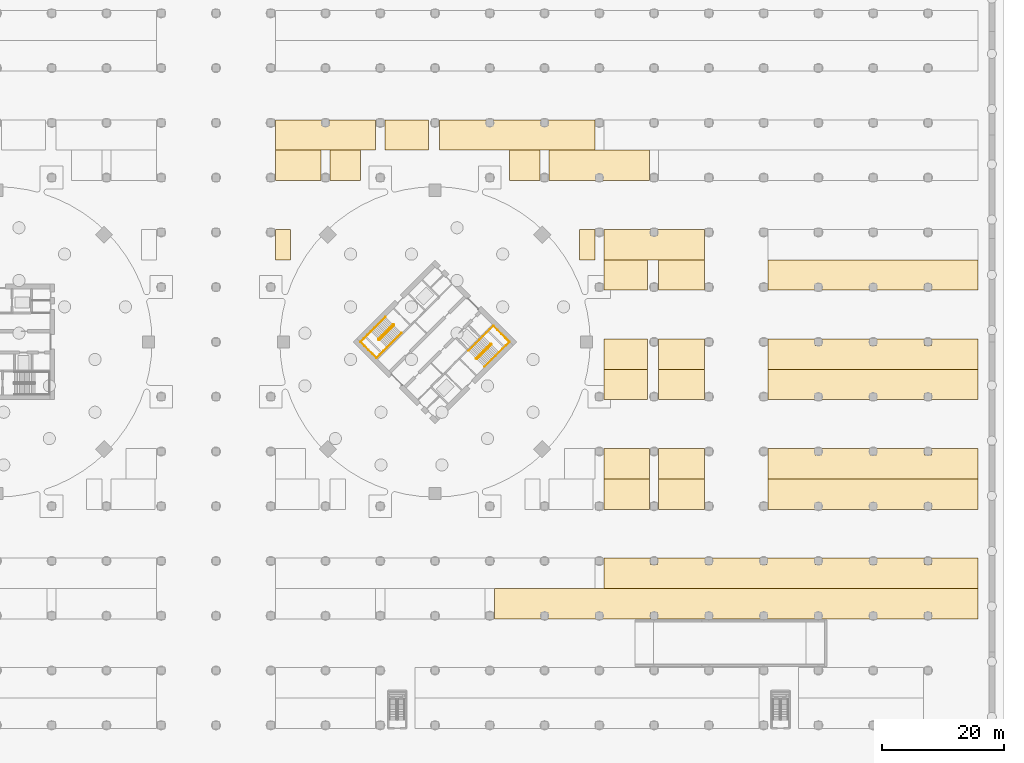
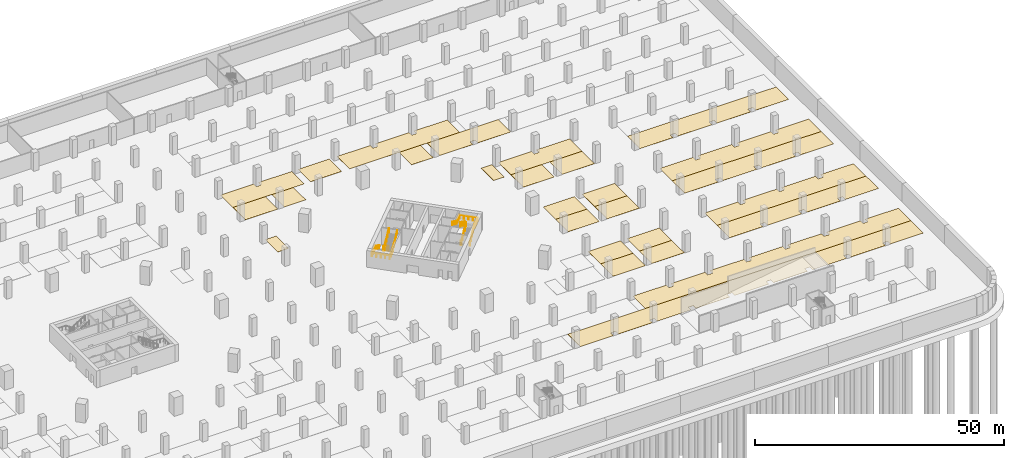
# One storey, part 33 of 39: 27 coverings, 4 railings.
"""IFC4 building model written with IfcOpenShell, lengths in metres."""

from ifc_helpers import new_model, si_unit, direction, frame, origin, origin_2d, place, context, subcontext, project, spatial, polyline, circle, outline, extrude, material, layer, layer_set, type_object, element, save


model = new_model("IFC4")

# Units and contexts
model_context = context("Model", 3, precision=1e-05, world=origin(), true_north=direction((0.0, 1.0)))
body_context = subcontext(model_context, "Body", "Model", "MODEL_VIEW")
ifc_project = project(units=[si_unit("LENGTHUNIT", "METRE"), si_unit("AREAUNIT", "SQUARE_METRE"), si_unit("VOLUMEUNIT", "CUBIC_METRE"), si_unit("PLANEANGLEUNIT", "RADIAN"), si_unit("MASSUNIT", "GRAM", prefix="KILO")], contexts=[model_context])

# Site, building, storey
site_placement = place(None, origin())
site = spatial("IfcSite", under=ifc_project, at=site_placement, CompositionType="ELEMENT")
building_placement = place(site_placement, origin())
building = spatial("IfcBuilding", under=site, at=building_placement, Name="Ogive Gate Towers", CompositionType="ELEMENT")
storey_placement = place(building_placement, frame((0.0, 0.0, -9.0)))
storey = spatial("IfcBuildingStorey", under=building, at=storey_placement, Name="B2", CompositionType="ELEMENT", Elevation=-9.0)

# Coverings
ifc_material_1 = material(Name="Painted floor marking")
ifc_layer_1 = layer(ifc_material_1, 0.02001953125)
ifc_layer_set_1 = layer_set([ifc_layer_1], Name="Accessible bay marking")
covering_type_1 = type_object("IfcCoveringType", Name="Accessible bay marking", PredefinedType="FLOORING", material=ifc_layer_set_1)
covering_1_placement = place(storey_placement, origin())
element("IfcCovering", 1, at=covering_1_placement, inside=storey, type_object=covering_type_1, Name="Accessible parking bays B2-080 to B2-081", PredefinedType="FLOORING", context=body_context, shape_type="SweptSolid", body=[
    extrude(outline(polyline([(70.949951171875, 13.5), (70.949951171875, 8.5), (63.75, 8.5), (63.75, 13.5), (70.949951171875, 13.5)])), origin(), (0.0, 0.0, 1.0), 0.02001953125),
])
covering_2_placement = place(storey_placement, origin())
element("IfcCovering", 2, at=covering_2_placement, inside=storey, type_object=covering_type_1, Name="Accessible parking bays B2-193 to B2-194", PredefinedType="FLOORING", context=body_context, shape_type="SweptSolid", body=[
    extrude(outline(polyline([(70.949951171875, -4.5), (70.949951171875, -9.5), (63.75, -9.5), (63.75, -4.5), (70.949951171875, -4.5)])), origin(), (0.0, 0.0, 1.0), 0.02001953125),
])
covering_3_placement = place(storey_placement, origin())
element("IfcCovering", 3, at=covering_3_placement, inside=storey, type_object=covering_type_1, Name="Accessible parking bays B2-460 to B2-461", PredefinedType="FLOORING", context=body_context, shape_type="SweptSolid", body=[
    extrude(outline(polyline([(70.949951171875, 0.5), (70.949951171875, -4.5), (63.75, -4.5), (63.75, 0.5), (70.949951171875, 0.5)])), origin(), (0.0, 0.0, 1.0), 0.02001953125),
])
covering_4_placement = place(storey_placement, origin())
element("IfcCovering", 4, at=covering_4_placement, inside=storey, type_object=covering_type_1, Name="Accessible parking bays B2-520 to B2-521", PredefinedType="FLOORING", context=body_context, shape_type="SweptSolid", body=[
    extrude(outline(polyline([(34.949951171875, 31.5), (27.75, 31.5), (27.75, 36.5), (34.949951171875, 36.5), (34.949951171875, 31.5)])), origin(), (0.0, 0.0, 1.0), 0.02001953125),
])
ifc_layer_2 = layer(ifc_material_1, 0.02001953125)
ifc_layer_set_2 = layer_set([ifc_layer_2], Name="Charging bay marking")
covering_type_2 = type_object("IfcCoveringType", Name="Charging bay marking", PredefinedType="FLOORING", material=ifc_layer_set_2)
covering_5_placement = place(storey_placement, origin())
element("IfcCovering", 5, at=covering_5_placement, inside=storey, type_object=covering_type_2, Name="Charging bays B2-032 to B2-034", PredefinedType="FLOORING", context=body_context, shape_type="SweptSolid", body=[
    extrude(outline(polyline([(17.25, 26.5), (9.75, 26.5), (9.75, 31.5), (17.25, 31.5), (17.25, 26.5)])), origin(), (0.0, 0.0, 1.0), 0.02001953125),
])
covering_6_placement = place(storey_placement, origin())
element("IfcCovering", 6, at=covering_6_placement, inside=storey, type_object=covering_type_2, Name="Charging bays B2-039 to B2-044", PredefinedType="FLOORING", context=body_context, shape_type="SweptSolid", body=[
    extrude(outline(polyline([(54.75, 31.5), (71.25, 31.5), (71.25, 26.5), (63.550048828125, 26.5), (63.550048828125, 27.550048828125), (62.449951171875, 27.550048828125), (62.449951171875, 26.5), (54.75, 26.5), (54.75, 31.5)])), origin(), (0.0, 0.0, 1.0), 0.02001953125),
])
covering_7_placement = place(storey_placement, origin())
element("IfcCovering", 7, at=covering_7_placement, inside=storey, type_object=covering_type_2, Name="Charging bays B2-082 to B2-084", PredefinedType="FLOORING", context=body_context, shape_type="SweptSolid", body=[
    extrude(outline(polyline([(80.25, 13.5), (80.25, 8.5), (72.75, 8.5), (72.75, 13.5), (80.25, 13.5)])), origin(), (0.0, 0.0, 1.0), 0.02001953125),
])
covering_8_placement = place(storey_placement, origin())
element("IfcCovering", 8, at=covering_8_placement, inside=storey, type_object=covering_type_2, Name="Charging bays B2-195 to B2-197", PredefinedType="FLOORING", context=body_context, shape_type="SweptSolid", body=[
    extrude(outline(polyline([(80.25, -4.5), (80.25, -9.5), (72.75, -9.5), (72.75, -4.5), (80.25, -4.5)])), origin(), (0.0, 0.0, 1.0), 0.02001953125),
])
covering_9_placement = place(storey_placement, origin())
element("IfcCovering", 9, at=covering_9_placement, inside=storey, type_object=covering_type_2, Name="Charging bays B2-240 to B2-242", PredefinedType="FLOORING", context=body_context, shape_type="SweptSolid", body=[
    extrude(outline(polyline([(71.25, -22.5), (71.25, -27.5), (63.75, -27.5), (63.75, -22.5), (71.25, -22.5)])), origin(), (0.0, 0.0, 1.0), 0.02001953125),
])
covering_10_placement = place(storey_placement, origin())
element("IfcCovering", 10, at=covering_10_placement, inside=storey, type_object=covering_type_2, Name="Charging bays B2-425 to B2-430", PredefinedType="FLOORING", context=body_context, shape_type="SweptSolid", body=[
    extrude(outline(polyline([(63.75, 18.5), (71.449951171875, 18.5), (71.449951171875, 17.449951171875), (72.550048828125, 17.449951171875), (72.550048828125, 18.5), (80.25, 18.5), (80.25, 13.5), (63.75, 13.5), (63.75, 18.5)])), origin(), (0.0, 0.0, 1.0), 0.02001953125),
])
covering_11_placement = place(storey_placement, origin())
element("IfcCovering", 11, at=covering_11_placement, inside=storey, type_object=covering_type_2, Name="Charging bays B2-462 to B2-464", PredefinedType="FLOORING", context=body_context, shape_type="SweptSolid", body=[
    extrude(outline(polyline([(80.25, 0.5), (80.25, -4.5), (72.75, -4.5), (72.75, 0.5), (80.25, 0.5)])), origin(), (0.0, 0.0, 1.0), 0.02001953125),
])
covering_12_placement = place(storey_placement, origin())
element("IfcCovering", 12, at=covering_12_placement, inside=storey, type_object=covering_type_2, Name="Charging bays B2-514 to B2-519", PredefinedType="FLOORING", context=body_context, shape_type="SweptSolid", body=[
    extrude(outline(polyline([(9.75, 36.5), (17.449951171875, 36.5), (17.449951171875, 35.449951171875), (18.550048828125, 35.449951171875), (18.550048828125, 36.5), (26.25, 36.5), (26.25, 31.5), (9.75, 31.5), (9.75, 36.5)])), origin(), (0.0, 0.0, 1.0), 0.02001953125),
])
covering_13_placement = place(storey_placement, origin())
element("IfcCovering", 13, at=covering_13_placement, inside=storey, type_object=covering_type_2, Name="Charging bays B2-522 to B2-530", PredefinedType="FLOORING", context=body_context, shape_type="SweptSolid", body=[
    extrude(outline(polyline([(36.75, 36.5), (44.449951171875, 36.5), (44.449951171875, 35.449951171875), (45.550048828125, 35.449951171875), (45.550048828125, 36.5), (53.449951171875, 36.5), (53.449951171875, 35.449951171875), (54.550048828125, 35.449951171875), (54.550048828125, 36.5), (62.25, 36.5), (62.25, 31.5), (36.75, 31.5), (36.75, 36.5)])), origin(), (0.0, 0.0, 1.0), 0.02001953125),
])
covering_14_placement = place(storey_placement, origin())
element("IfcCovering", 14, at=covering_14_placement, inside=storey, type_object=covering_type_2, Name="Charging bays B2-653 to B2-655", PredefinedType="FLOORING", context=body_context, shape_type="SweptSolid", body=[
    extrude(outline(polyline([(71.25, -17.5), (71.25, -22.5), (63.75, -22.5), (63.75, -17.5), (71.25, -17.5)])), origin(), (0.0, 0.0, 1.0), 0.02001953125),
])
ifc_layer_3 = layer(ifc_material_1, 0.02001953125)
ifc_layer_set_3 = layer_set([ifc_layer_3], Name="Parking bay marking")
covering_type_3 = type_object("IfcCoveringType", Name="Parking bay marking", PredefinedType="FLOORING", material=ifc_layer_set_3)
covering_15_placement = place(storey_placement, origin())
element("IfcCovering", 15, at=covering_15_placement, inside=storey, type_object=covering_type_3, Name="Parking bays B2-035 to B2-036", PredefinedType="FLOORING", context=body_context, shape_type="SweptSolid", body=[
    extrude(outline(polyline([(18.75, 26.5), (18.75, 31.5), (23.75, 31.5), (23.75, 26.5), (18.75, 26.5)])), origin(), (0.0, 0.0, 1.0), 0.02001953125),
])
covering_16_placement = place(storey_placement, origin())
element("IfcCovering", 16, at=covering_16_placement, inside=storey, type_object=covering_type_3, Name="Parking bays B2-037 to B2-038", PredefinedType="FLOORING", context=body_context, shape_type="SweptSolid", body=[
    extrude(outline(polyline([(48.25, 26.5), (48.25, 31.5), (53.25, 31.5), (53.25, 26.5), (48.25, 26.5)])), origin(), (0.0, 0.0, 1.0), 0.02001953125),
])
covering_17_placement = place(storey_placement, origin())
element("IfcCovering", 17, at=covering_17_placement, inside=storey, type_object=covering_type_3, Name="Parking bays B2-085 to B2-096", PredefinedType="FLOORING", context=body_context, shape_type="SweptSolid", body=[
    extrude(outline(polyline([(90.75, 13.5), (125.25, 13.5), (125.25, 8.5), (117.550048828125, 8.5), (117.550048828125, 9.550048828125), (116.449951171875, 9.550048828125), (116.449951171875, 8.5), (108.550048828125, 8.5), (108.550048828125, 9.550048828125), (107.449951171875, 9.550048828125), (107.449951171875, 8.5), (99.550048828125, 8.5), (99.550048828125, 9.550048828125), (98.449951171875, 9.550048828125), (98.449951171875, 8.5), (90.75, 8.5), (90.75, 13.5)])), origin(), (0.0, 0.0, 1.0), 0.02001953125),
])
covering_18_placement = place(storey_placement, origin())
element("IfcCovering", 18, at=covering_18_placement, inside=storey, type_object=covering_type_3, Name="Parking bays B2-198 to B2-209", PredefinedType="FLOORING", context=body_context, shape_type="SweptSolid", body=[
    extrude(outline(polyline([(90.75, -4.5), (125.25, -4.5), (125.25, -9.5), (117.550048828125, -9.5), (117.550048828125, -8.449951171875), (116.449951171875, -8.449951171875), (116.449951171875, -9.5), (108.550048828125, -9.5), (108.550048828125, -8.449951171875), (107.449951171875, -8.449951171875), (107.449951171875, -9.5), (99.550048828125, -9.5), (99.550048828125, -8.449951171875), (98.449951171875, -8.449951171875), (98.449951171875, -9.5), (90.75, -9.5), (90.75, -4.5)])), origin(), (0.0, 0.0, 1.0), 0.02001953125),
])
covering_19_placement = place(storey_placement, origin())
element("IfcCovering", 19, at=covering_19_placement, inside=storey, type_object=covering_type_3, Name="Parking bays B2-243 to B2-245", PredefinedType="FLOORING", context=body_context, shape_type="SweptSolid", body=[
    extrude(outline(polyline([(72.75, -22.5), (80.25, -22.5), (80.25, -27.5), (72.75, -27.5), (72.75, -22.5)])), origin(), (0.0, 0.0, 1.0), 0.02001953125),
])
covering_20_placement = place(storey_placement, origin())
element("IfcCovering", 20, at=covering_20_placement, inside=storey, type_object=covering_type_3, Name="Parking bays B2-246 to B2-257", PredefinedType="FLOORING", context=body_context, shape_type="SweptSolid", body=[
    extrude(outline(polyline([(90.75, -22.5), (125.25, -22.5), (125.25, -27.5), (117.550048828125, -27.5), (117.550048828125, -26.449951171875), (116.449951171875, -26.449951171875), (116.449951171875, -27.5), (108.550048828125, -27.5), (108.550048828125, -26.449951171875), (107.449951171875, -26.449951171875), (107.449951171875, -27.5), (99.550048828125, -27.5), (99.550048828125, -26.449951171875), (98.449951171875, -26.449951171875), (98.449951171875, -27.5), (90.75, -27.5), (90.75, -22.5)])), origin(), (0.0, 0.0, 1.0), 0.02001953125),
])
covering_21_placement = place(storey_placement, origin())
element("IfcCovering", 21, at=covering_21_placement, inside=storey, type_object=covering_type_3, Name="Parking bays B2-309 to B2-335", PredefinedType="FLOORING", context=body_context, shape_type="SweptSolid", body=[
    extrude(outline(polyline([(45.75, -40.5), (125.25, -40.5), (125.25, -45.5), (117.550048828125, -45.5), (117.550048828125, -44.449951171875), (116.449951171875, -44.449951171875), (116.449951171875, -45.5), (108.550048828125, -45.5), (108.550048828125, -44.449951171875), (107.449951171875, -44.449951171875), (107.449951171875, -45.5), (99.550048828125, -45.5), (99.550048828125, -44.449951171875), (98.449951171875, -44.449951171875), (98.449951171875, -45.5), (90.550048828125, -45.5), (90.550048828125, -44.449951171875), (89.449951171875, -44.449951171875), (89.449951171875, -45.5), (81.550048828125, -45.5), (81.550048828125, -44.449951171875), (80.449951171875, -44.449951171875), (80.449951171875, -45.5), (72.550048828125, -45.5), (72.550048828125, -44.449951171875), (71.449951171875, -44.449951171875), (71.449951171875, -45.5), (63.550048828125, -45.5), (63.550048828125, -44.449951171875), (62.449951171875, -44.449951171875), (62.449951171875, -45.5), (54.550048828125, -45.5), (54.550048828125, -44.449951171875), (53.449951171875, -44.449951171875), (53.449951171875, -45.5), (45.75, -45.5), (45.75, -40.5)])), origin(), (0.0, 0.0, 1.0), 0.02001953125),
])
covering_22_placement = place(storey_placement, origin())
element("IfcCovering", 22, at=covering_22_placement, inside=storey, type_object=covering_type_3, Name="Parking bay B2-423", PredefinedType="FLOORING", context=body_context, shape_type="SweptSolid", body=[
    extrude(outline(polyline([(9.75, 13.5), (9.75, 18.5), (12.25, 18.5), (12.25, 13.5), (9.75, 13.5)])), origin(), (0.0, 0.0, 1.0), 0.02001953125),
])
covering_23_placement = place(storey_placement, origin())
element("IfcCovering", 23, at=covering_23_placement, inside=storey, type_object=covering_type_3, Name="Parking bay B2-424", PredefinedType="FLOORING", context=body_context, shape_type="SweptSolid", body=[
    extrude(outline(polyline([(59.75, 18.5), (62.25, 18.5), (62.25, 13.5), (59.75, 13.5), (59.75, 18.5)])), origin(), (0.0, 0.0, 1.0), 0.02001953125),
])
covering_24_placement = place(storey_placement, origin())
element("IfcCovering", 24, at=covering_24_placement, inside=storey, type_object=covering_type_3, Name="Parking bays B2-465 to B2-476", PredefinedType="FLOORING", context=body_context, shape_type="SweptSolid", body=[
    extrude(outline(polyline([(90.75, 0.5), (98.449951171875, 0.5), (98.449951171875, -0.550048828125), (99.550048828125, -0.550048828125), (99.550048828125, 0.5), (107.449951171875, 0.5), (107.449951171875, -0.550048828125), (108.550048828125, -0.550048828125), (108.550048828125, 0.5), (116.449951171875, 0.5), (116.449951171875, -0.550048828125), (117.550048828125, -0.550048828125), (117.550048828125, 0.5), (125.25, 0.5), (125.25, -4.5), (90.75, -4.5), (90.75, 0.5)])), origin(), (0.0, 0.0, 1.0), 0.02001953125),
])
covering_25_placement = place(storey_placement, origin())
element("IfcCovering", 25, at=covering_25_placement, inside=storey, type_object=covering_type_3, Name="Parking bays B2-656 to B2-658", PredefinedType="FLOORING", context=body_context, shape_type="SweptSolid", body=[
    extrude(outline(polyline([(72.75, -17.5), (80.25, -17.5), (80.25, -22.5), (72.75, -22.5), (72.75, -17.5)])), origin(), (0.0, 0.0, 1.0), 0.02001953125),
])
covering_26_placement = place(storey_placement, origin())
element("IfcCovering", 26, at=covering_26_placement, inside=storey, type_object=covering_type_3, Name="Parking bays B2-659 to B2-670", PredefinedType="FLOORING", context=body_context, shape_type="SweptSolid", body=[
    extrude(outline(polyline([(90.75, -17.5), (98.449951171875, -17.5), (98.449951171875, -18.550048828125), (99.550048828125, -18.550048828125), (99.550048828125, -17.5), (107.449951171875, -17.5), (107.449951171875, -18.550048828125), (108.550048828125, -18.550048828125), (108.550048828125, -17.5), (116.449951171875, -17.5), (116.449951171875, -18.550048828125), (117.550048828125, -18.550048828125), (117.550048828125, -17.5), (125.25, -17.5), (125.25, -22.5), (90.75, -22.5), (90.75, -17.5)])), origin(), (0.0, 0.0, 1.0), 0.02001953125),
])
covering_27_placement = place(storey_placement, origin())
element("IfcCovering", 27, at=covering_27_placement, inside=storey, type_object=covering_type_3, Name="Parking bays B2-728 to B2-748", PredefinedType="FLOORING", context=body_context, shape_type="SweptSolid", body=[
    extrude(outline(polyline([(63.75, -35.5), (71.449951171875, -35.5), (71.449951171875, -36.550048828125), (72.550048828125, -36.550048828125), (72.550048828125, -35.5), (80.449951171875, -35.5), (80.449951171875, -36.550048828125), (81.550048828125, -36.550048828125), (81.550048828125, -35.5), (89.449951171875, -35.5), (89.449951171875, -36.550048828125), (90.550048828125, -36.550048828125), (90.550048828125, -35.5), (98.449951171875, -35.5), (98.449951171875, -36.550048828125), (99.550048828125, -36.550048828125), (99.550048828125, -35.5), (107.449951171875, -35.5), (107.449951171875, -36.550048828125), (108.550048828125, -36.550048828125), (108.550048828125, -35.5), (116.449951171875, -35.5), (116.449951171875, -36.550048828125), (117.550048828125, -36.550048828125), (117.550048828125, -35.5), (125.25, -35.5), (125.25, -40.5), (63.75, -40.5), (63.75, -35.5)])), origin(), (0.0, 0.0, 1.0), 0.02001953125),
])

# Railings
ifc_material_2 = material(Name="Stainless steel", Category="steel")
railing_type_1 = type_object("IfcRailingType", Name="Stair guard 1100", PredefinedType="GUARDRAIL", material=ifc_material_2)
railing_1_placement = place(storey_placement, frame((29.15869140625, 2.8603515625, 0.0)))
element("IfcRailing", 28, at=railing_1_placement, inside=storey, type_object=railing_type_1, Name="B2 ST1 stair guard 1", PredefinedType="GUARDRAIL", context=body_context, shape_type="SweptSolid", body=[
    extrude(circle(Radius=0.02392578125, at=origin_2d()), frame((0.0, 0.0, 1.076171875), z_axis=(0.707106781187, -0.707106781187, 0.0), x_axis=(0.707106781187, 0.707106781187, 0.0)), (0.0, 0.0, 1.0), 0.14501953125),
    extrude(circle(Radius=0.02392578125, at=origin_2d()), frame((0.1025390625, -0.1025390625, 1.076171875), z_axis=(-0.652200646096, 0.386352992046, 0.652200646096), x_axis=(-0.509669330572, -0.860370369942, 0.0)), (0.0, 0.0, 1.0), 0.265380859375),
    extrude(circle(Radius=0.02392578125, at=origin_2d()), frame((-0.070556640625, 0.0, 1.2490234375), z_axis=(-0.601482971545, -0.601482971545, 0.525772260474), x_axis=(0.707106781187, -0.707106781187, 0.0)), (0.0, 0.0, 1.0), 3.9501953125),
    extrude(circle(Radius=0.02392578125, at=origin_2d()), frame((-2.446533203125, -2.3759765625, 3.326171875), z_axis=(0.0, -1.0, 0.0), x_axis=(1.0, 0.0, 0.0)), (0.0, 0.0, 1.0), 0.07080078125),
    extrude(circle(Radius=0.02392578125, at=origin_2d()), frame((-2.446533203125, -2.44677734375, 3.326171875), z_axis=(0.707106781187, -0.707106781187, 0.0), x_axis=(0.707106781187, 0.707106781187, 0.0)), (0.0, 0.0, 1.0), 0.14501953125),
    extrude(circle(Radius=0.02392578125, at=origin_2d()), frame((-2.343994140625, -2.54931640625, 3.326171875), z_axis=(0.378582013265, 0.0, 0.925567749672), x_axis=(0.0, 1.0, 0.0)), (0.0, 0.0, 1.0), 0.18701171875),
    extrude(circle(Radius=0.02392578125, at=origin_2d()), frame((-2.273193359375, -2.54931640625, 3.4990234375), z_axis=(0.601443524483, 0.601505331442, 0.525791805855), x_axis=(-0.707143111075, 0.707070449432, 0.0)), (0.0, 0.0, 1.0), 3.949951171875),
    extrude(circle(Radius=0.02099609375, at=origin_2d()), origin(), (0.0, 0.0, 1.0), 1.052001953125),
    extrude(circle(Radius=0.02099609375, at=origin_2d()), frame((0.1025390625, -0.1025390625, 0.0)), (0.0, 0.0, 1.0), 1.052001953125),
    extrude(circle(Radius=0.02099609375, at=origin_2d()), frame((-0.070556640625, 0.0, 0.173095703125)), (0.0, 0.0, 1.0), 1.052001953125),
    extrude(circle(Radius=0.02099609375, at=origin_2d()), frame((-0.66455078125, -0.593994140625, 0.6923828125)), (0.0, 0.0, 1.0), 1.052001953125),
    extrude(circle(Radius=0.02099609375, at=origin_2d()), frame((-1.258544921875, -1.18798828125, 1.21142578125)), (0.0, 0.0, 1.0), 1.052001953125),
    extrude(circle(Radius=0.02099609375, at=origin_2d()), frame((-1.8525390625, -1.781982421875, 1.730712890625)), (0.0, 0.0, 1.0), 1.052001953125),
    extrude(circle(Radius=0.02099609375, at=origin_2d()), frame((-2.446533203125, -2.3759765625, 2.25)), (0.0, 0.0, 1.0), 1.052001953125),
    extrude(circle(Radius=0.02099609375, at=origin_2d()), frame((-2.446533203125, -2.44677734375, 2.25)), (0.0, 0.0, 1.0), 1.052001953125),
    extrude(circle(Radius=0.02099609375, at=origin_2d()), frame((-2.343994140625, -2.54931640625, 2.25)), (0.0, 0.0, 1.0), 1.052001953125),
    extrude(circle(Radius=0.02099609375, at=origin_2d()), frame((-2.273193359375, -2.54931640625, 2.423095703125)), (0.0, 0.0, 1.0), 1.052001953125),
    extrude(circle(Radius=0.02099609375, at=origin_2d()), frame((-1.67919921875, -1.955322265625, 2.9423828125)), (0.0, 0.0, 1.0), 1.052001953125),
    extrude(circle(Radius=0.02099609375, at=origin_2d()), frame((-1.08544921875, -1.361328125, 3.46142578125)), (0.0, 0.0, 1.0), 1.052001953125),
    extrude(circle(Radius=0.02099609375, at=origin_2d()), frame((-0.491455078125, -0.767333984375, 3.980712890625)), (0.0, 0.0, 1.0), 1.052001953125),
    extrude(circle(Radius=0.02099609375, at=origin_2d()), frame((0.1025390625, -0.17333984375, 4.5)), (0.0, 0.0, 1.0), 1.052001953125),
])
railing_2_placement = place(storey_placement, frame((42.84130859375, -2.8603515625, 0.0)))
element("IfcRailing", 29, at=railing_2_placement, inside=storey, type_object=railing_type_1, Name="B2 ST2 stair guard 1", PredefinedType="GUARDRAIL", context=body_context, shape_type="SweptSolid", body=[
    extrude(circle(Radius=0.02392578125, at=origin_2d()), frame((0.0, 0.0, 1.076171875), z_axis=(-0.707106781187, 0.707106781187, 0.0), x_axis=(-0.707106781187, -0.707106781187, 0.0)), (0.0, 0.0, 1.0), 0.14501953125),
    extrude(circle(Radius=0.02392578125, at=origin_2d()), frame((-0.1025390625, 0.1025390625, 1.076171875), z_axis=(0.652200646096, -0.386352992046, 0.652200646096), x_axis=(0.509669330572, 0.860370369942, 0.0)), (0.0, 0.0, 1.0), 0.265380859375),
    extrude(circle(Radius=0.02392578125, at=origin_2d()), frame((0.070556640625, 0.0, 1.2490234375), z_axis=(0.601482971545, 0.601482971545, 0.525772260474), x_axis=(-0.707106781187, 0.707106781187, 0.0)), (0.0, 0.0, 1.0), 3.9501953125),
    extrude(circle(Radius=0.02392578125, at=origin_2d()), frame((2.446533203125, 2.3759765625, 3.326171875), z_axis=(0.0, 1.0, 0.0), x_axis=(-1.0, 0.0, 0.0)), (0.0, 0.0, 1.0), 0.07080078125),
    extrude(circle(Radius=0.02392578125, at=origin_2d()), frame((2.446533203125, 2.44677734375, 3.326171875), z_axis=(-0.707106781187, 0.707106781187, 0.0), x_axis=(-0.707106781187, -0.707106781187, 0.0)), (0.0, 0.0, 1.0), 0.14501953125),
    extrude(circle(Radius=0.02392578125, at=origin_2d()), frame((2.343994140625, 2.54931640625, 3.326171875), z_axis=(-0.378582013265, 0.0, 0.925567749672), x_axis=(0.0, -1.0, 0.0)), (0.0, 0.0, 1.0), 0.18701171875),
    extrude(circle(Radius=0.02392578125, at=origin_2d()), frame((2.273193359375, 2.54931640625, 3.4990234375), z_axis=(-0.601443524483, -0.601505331442, 0.525791805855), x_axis=(0.707143111075, -0.707070449432, 0.0)), (0.0, 0.0, 1.0), 3.949951171875),
    extrude(circle(Radius=0.02099609375, at=origin_2d()), origin(), (0.0, 0.0, 1.0), 1.052001953125),
    extrude(circle(Radius=0.02099609375, at=origin_2d()), frame((-0.1025390625, 0.1025390625, 0.0)), (0.0, 0.0, 1.0), 1.052001953125),
    extrude(circle(Radius=0.02099609375, at=origin_2d()), frame((0.070556640625, 0.0, 0.173095703125)), (0.0, 0.0, 1.0), 1.052001953125),
    extrude(circle(Radius=0.02099609375, at=origin_2d()), frame((0.66455078125, 0.593994140625, 0.6923828125)), (0.0, 0.0, 1.0), 1.052001953125),
    extrude(circle(Radius=0.02099609375, at=origin_2d()), frame((1.258544921875, 1.18798828125, 1.21142578125)), (0.0, 0.0, 1.0), 1.052001953125),
    extrude(circle(Radius=0.02099609375, at=origin_2d()), frame((1.8525390625, 1.781982421875, 1.730712890625)), (0.0, 0.0, 1.0), 1.052001953125),
    extrude(circle(Radius=0.02099609375, at=origin_2d()), frame((2.446533203125, 2.3759765625, 2.25)), (0.0, 0.0, 1.0), 1.052001953125),
    extrude(circle(Radius=0.02099609375, at=origin_2d()), frame((2.446533203125, 2.44677734375, 2.25)), (0.0, 0.0, 1.0), 1.052001953125),
    extrude(circle(Radius=0.02099609375, at=origin_2d()), frame((2.343994140625, 2.54931640625, 2.25)), (0.0, 0.0, 1.0), 1.052001953125),
    extrude(circle(Radius=0.02099609375, at=origin_2d()), frame((2.273193359375, 2.54931640625, 2.423095703125)), (0.0, 0.0, 1.0), 1.052001953125),
    extrude(circle(Radius=0.02099609375, at=origin_2d()), frame((1.67919921875, 1.955322265625, 2.9423828125)), (0.0, 0.0, 1.0), 1.052001953125),
    extrude(circle(Radius=0.02099609375, at=origin_2d()), frame((1.08544921875, 1.361328125, 3.46142578125)), (0.0, 0.0, 1.0), 1.052001953125),
    extrude(circle(Radius=0.02099609375, at=origin_2d()), frame((0.491455078125, 0.767333984375, 3.980712890625)), (0.0, 0.0, 1.0), 1.052001953125),
    extrude(circle(Radius=0.02099609375, at=origin_2d()), frame((-0.1025390625, 0.17333984375, 4.5)), (0.0, 0.0, 1.0), 1.052001953125),
])
railing_type_2 = type_object("IfcRailingType", Name="Stair handrail 900", PredefinedType="HANDRAIL", material=ifc_material_2)
railing_3_placement = place(storey_placement, frame((27.857666015625, 4.090576171875, 0.173095703125)))
element("IfcRailing", 30, at=railing_3_placement, inside=storey, type_object=railing_type_2, Name="B2 ST1 stair handrail 1", PredefinedType="HANDRAIL", context=body_context, shape_type="SweptSolid", body=[
    extrude(circle(Radius=0.02392578125, at=origin_2d()), frame((0.0, 0.0, 0.8759765625), z_axis=(-0.601505331442, -0.601443524483, 0.525791805855), x_axis=(0.707070449432, -0.707143111075, 0.0)), (0.0, 0.0, 1.0), 3.949951171875),
    extrude(circle(Radius=0.02392578125, at=origin_2d()), frame((-2.3759765625, -2.375732421875, 2.95263671875), z_axis=(-0.707056440762, -0.707157118028, 0.0), x_axis=(0.707157118028, -0.707056440762, 0.0)), (0.0, 0.0, 1.0), 2.425048828125),
    extrude(circle(Radius=0.02392578125, at=origin_2d()), frame((-4.090576171875, -4.090576171875, 2.95263671875), z_axis=(0.707106781187, -0.707106781187, 0.0), x_axis=(0.707106781187, 0.707106781187, 0.0)), (0.0, 0.0, 1.0), 3.72509765625),
    extrude(circle(Radius=0.02392578125, at=origin_2d()), frame((-1.45654296875, -6.724609375, 2.95263671875), z_axis=(0.705262022589, 0.705362444349, 0.071199028053), x_axis=(-0.707157118028, 0.707056440762, 0.0)), (0.0, 0.0, 1.0), 2.43115234375),
    extrude(circle(Radius=0.02392578125, at=origin_2d()), frame((0.258056640625, -5.009765625, 3.1259765625), z_axis=(0.601505331442, 0.601443524483, 0.525791805855), x_axis=(-0.707070449432, 0.707143111075, 0.0)), (0.0, 0.0, 1.0), 3.949951171875),
    extrude(circle(Radius=0.02099609375, at=origin_2d()), origin(), (0.0, 0.0, 1.0), 0.851806640625),
    extrude(circle(Radius=0.02099609375, at=origin_2d()), frame((-0.593994140625, -0.593994140625, 0.519287109375)), (0.0, 0.0, 1.0), 0.851806640625),
    extrude(circle(Radius=0.02099609375, at=origin_2d()), frame((-1.18798828125, -1.18798828125, 1.03857421875)), (0.0, 0.0, 1.0), 0.851806640625),
    extrude(circle(Radius=0.02099609375, at=origin_2d()), frame((-1.781982421875, -1.78173828125, 1.5576171875)), (0.0, 0.0, 1.0), 0.851806640625),
    extrude(circle(Radius=0.02099609375, at=origin_2d()), frame((-2.3759765625, -2.375732421875, 2.076904296875)), (0.0, 0.0, 1.0), 0.851806640625),
    extrude(circle(Radius=0.02099609375, at=origin_2d()), frame((-2.947509765625, -2.947265625, 2.076904296875)), (0.0, 0.0, 1.0), 0.851806640625),
    extrude(circle(Radius=0.02099609375, at=origin_2d()), frame((-3.51904296875, -3.51904296875, 2.076904296875)), (0.0, 0.0, 1.0), 0.851806640625),
    extrude(circle(Radius=0.02099609375, at=origin_2d()), frame((-4.090576171875, -4.090576171875, 2.076904296875)), (0.0, 0.0, 1.0), 0.851806640625),
    extrude(circle(Radius=0.02099609375, at=origin_2d()), frame((-3.43212890625, -4.7490234375, 2.076904296875)), (0.0, 0.0, 1.0), 0.851806640625),
    extrude(circle(Radius=0.02099609375, at=origin_2d()), frame((-2.7734375, -5.40771484375, 2.076904296875)), (0.0, 0.0, 1.0), 0.851806640625),
    extrude(circle(Radius=0.02099609375, at=origin_2d()), frame((-2.114990234375, -6.066162109375, 2.076904296875)), (0.0, 0.0, 1.0), 0.851806640625),
    extrude(circle(Radius=0.02099609375, at=origin_2d()), frame((-1.45654296875, -6.724609375, 2.076904296875)), (0.0, 0.0, 1.0), 0.851806640625),
    extrude(circle(Radius=0.02099609375, at=origin_2d()), frame((-0.885009765625, -6.153076171875, 2.134521484375)), (0.0, 0.0, 1.0), 0.851806640625),
    extrude(circle(Radius=0.02099609375, at=origin_2d()), frame((-0.3134765625, -5.581298828125, 2.1923828125)), (0.0, 0.0, 1.0), 0.851806640625),
    extrude(circle(Radius=0.02099609375, at=origin_2d()), frame((0.258056640625, -5.009765625, 2.25)), (0.0, 0.0, 1.0), 0.851806640625),
    extrude(circle(Radius=0.02099609375, at=origin_2d()), frame((0.85205078125, -4.415771484375, 2.769287109375)), (0.0, 0.0, 1.0), 0.851806640625),
    extrude(circle(Radius=0.02099609375, at=origin_2d()), frame((1.446044921875, -3.82177734375, 3.28857421875)), (0.0, 0.0, 1.0), 0.851806640625),
    extrude(circle(Radius=0.02099609375, at=origin_2d()), frame((2.0400390625, -3.22802734375, 3.8076171875)), (0.0, 0.0, 1.0), 0.851806640625),
    extrude(circle(Radius=0.02099609375, at=origin_2d()), frame((2.634033203125, -2.634033203125, 4.326904296875)), (0.0, 0.0, 1.0), 0.851806640625),
])
railing_4_placement = place(storey_placement, frame((44.142333984375, -4.090576171875, 0.173095703125)))
element("IfcRailing", 31, at=railing_4_placement, inside=storey, type_object=railing_type_2, Name="B2 ST2 stair handrail 1", PredefinedType="HANDRAIL", context=body_context, shape_type="SweptSolid", body=[
    extrude(circle(Radius=0.02392578125, at=origin_2d()), frame((0.0, 0.0, 0.8759765625), z_axis=(0.601505331442, 0.601443524483, 0.525791805855), x_axis=(-0.707070449432, 0.707143111075, 0.0)), (0.0, 0.0, 1.0), 3.949951171875),
    extrude(circle(Radius=0.02392578125, at=origin_2d()), frame((2.3759765625, 2.375732421875, 2.95263671875), z_axis=(0.707056440762, 0.707157118028, 0.0), x_axis=(-0.707157118028, 0.707056440762, 0.0)), (0.0, 0.0, 1.0), 2.425048828125),
    extrude(circle(Radius=0.02392578125, at=origin_2d()), frame((4.090576171875, 4.090576171875, 2.95263671875), z_axis=(-0.707106781187, 0.707106781187, 0.0), x_axis=(-0.707106781187, -0.707106781187, 0.0)), (0.0, 0.0, 1.0), 3.72509765625),
    extrude(circle(Radius=0.02392578125, at=origin_2d()), frame((1.45654296875, 6.724609375, 2.95263671875), z_axis=(-0.705262022589, -0.705362444349, 0.071199028053), x_axis=(0.707157118028, -0.707056440762, 0.0)), (0.0, 0.0, 1.0), 2.43115234375),
    extrude(circle(Radius=0.02392578125, at=origin_2d()), frame((-0.258056640625, 5.009765625, 3.1259765625), z_axis=(-0.601505331442, -0.601443524483, 0.525791805855), x_axis=(0.707070449432, -0.707143111075, 0.0)), (0.0, 0.0, 1.0), 3.949951171875),
    extrude(circle(Radius=0.02099609375, at=origin_2d()), origin(), (0.0, 0.0, 1.0), 0.851806640625),
    extrude(circle(Radius=0.02099609375, at=origin_2d()), frame((0.593994140625, 0.593994140625, 0.519287109375)), (0.0, 0.0, 1.0), 0.851806640625),
    extrude(circle(Radius=0.02099609375, at=origin_2d()), frame((1.18798828125, 1.18798828125, 1.03857421875)), (0.0, 0.0, 1.0), 0.851806640625),
    extrude(circle(Radius=0.02099609375, at=origin_2d()), frame((1.781982421875, 1.78173828125, 1.5576171875)), (0.0, 0.0, 1.0), 0.851806640625),
    extrude(circle(Radius=0.02099609375, at=origin_2d()), frame((2.3759765625, 2.375732421875, 2.076904296875)), (0.0, 0.0, 1.0), 0.851806640625),
    extrude(circle(Radius=0.02099609375, at=origin_2d()), frame((2.947509765625, 2.947265625, 2.076904296875)), (0.0, 0.0, 1.0), 0.851806640625),
    extrude(circle(Radius=0.02099609375, at=origin_2d()), frame((3.51904296875, 3.51904296875, 2.076904296875)), (0.0, 0.0, 1.0), 0.851806640625),
    extrude(circle(Radius=0.02099609375, at=origin_2d()), frame((4.090576171875, 4.090576171875, 2.076904296875)), (0.0, 0.0, 1.0), 0.851806640625),
    extrude(circle(Radius=0.02099609375, at=origin_2d()), frame((3.43212890625, 4.7490234375, 2.076904296875)), (0.0, 0.0, 1.0), 0.851806640625),
    extrude(circle(Radius=0.02099609375, at=origin_2d()), frame((2.7734375, 5.40771484375, 2.076904296875)), (0.0, 0.0, 1.0), 0.851806640625),
    extrude(circle(Radius=0.02099609375, at=origin_2d()), frame((2.114990234375, 6.066162109375, 2.076904296875)), (0.0, 0.0, 1.0), 0.851806640625),
    extrude(circle(Radius=0.02099609375, at=origin_2d()), frame((1.45654296875, 6.724609375, 2.076904296875)), (0.0, 0.0, 1.0), 0.851806640625),
    extrude(circle(Radius=0.02099609375, at=origin_2d()), frame((0.885009765625, 6.153076171875, 2.134521484375)), (0.0, 0.0, 1.0), 0.851806640625),
    extrude(circle(Radius=0.02099609375, at=origin_2d()), frame((0.3134765625, 5.581298828125, 2.1923828125)), (0.0, 0.0, 1.0), 0.851806640625),
    extrude(circle(Radius=0.02099609375, at=origin_2d()), frame((-0.258056640625, 5.009765625, 2.25)), (0.0, 0.0, 1.0), 0.851806640625),
    extrude(circle(Radius=0.02099609375, at=origin_2d()), frame((-0.85205078125, 4.415771484375, 2.769287109375)), (0.0, 0.0, 1.0), 0.851806640625),
    extrude(circle(Radius=0.02099609375, at=origin_2d()), frame((-1.446044921875, 3.82177734375, 3.28857421875)), (0.0, 0.0, 1.0), 0.851806640625),
    extrude(circle(Radius=0.02099609375, at=origin_2d()), frame((-2.0400390625, 3.22802734375, 3.8076171875)), (0.0, 0.0, 1.0), 0.851806640625),
    extrude(circle(Radius=0.02099609375, at=origin_2d()), frame((-2.634033203125, 2.634033203125, 4.326904296875)), (0.0, 0.0, 1.0), 0.851806640625),
])

save(model, "model.ifc")
